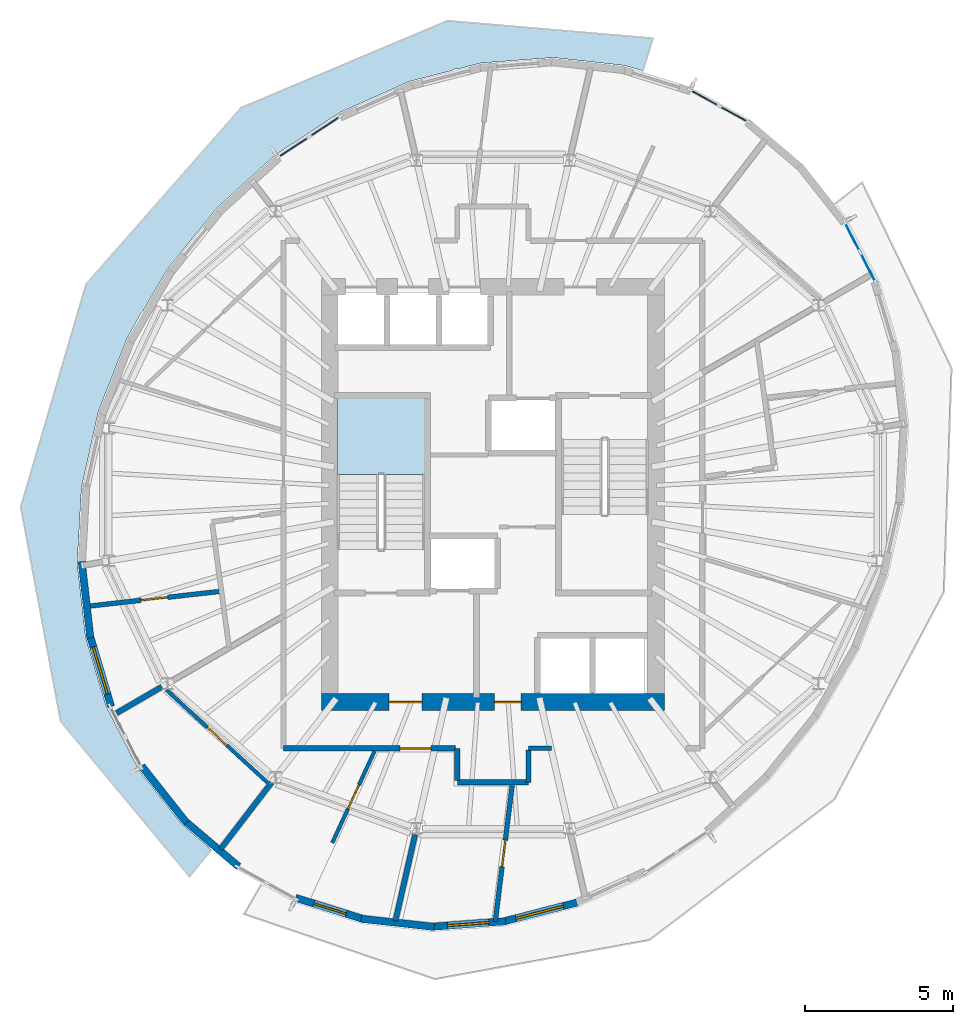
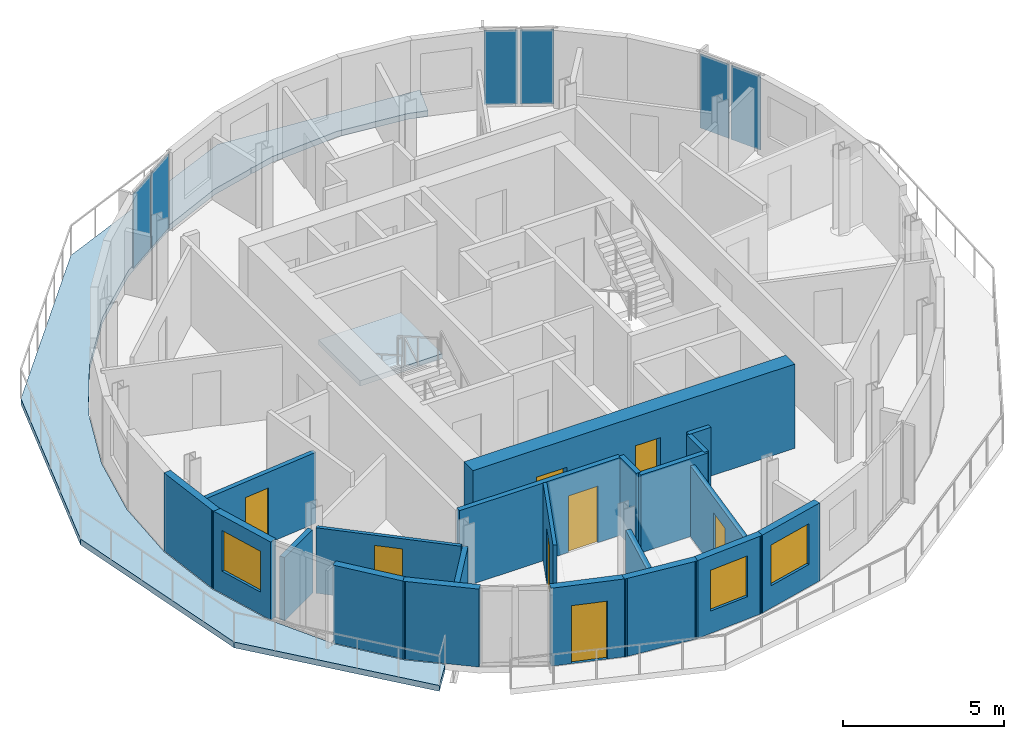
# One storey, part 4 of 11: 21 walls, 8 doors, 6 plates, 3 windows, 2 slabs, 11 openings, 4 elements without a shape of their own.
"""IFC4 building model written with IfcOpenShell, lengths in metres."""

from ifc_helpers import new_model, si_unit, direction, frame, frame_2d, origin, origin_2d, place, context, subcontext, project, spatial, polyline, rectangle, outline, extrude, material, layer, layer_set, type_object, element, fill, aggregate, save


model = new_model("IFC4")

# Units and contexts
model_context = context("Model", 3, precision=1e-05, world=origin(), true_north=direction((0.0, 1.0)))
body_context = subcontext(model_context, "Body", "Model", "MODEL_VIEW")
ifc_project = project(units=[si_unit("LENGTHUNIT", "METRE"), si_unit("AREAUNIT", "SQUARE_METRE"), si_unit("VOLUMEUNIT", "CUBIC_METRE"), si_unit("PLANEANGLEUNIT", "RADIAN"), si_unit("MASSUNIT", "GRAM", prefix="KILO")], contexts=[model_context])

# Site, building, storey
site_placement = place(None, origin())
site = spatial("IfcSite", under=ifc_project, at=site_placement, CompositionType="ELEMENT")
building_placement = place(site_placement, origin())
building = spatial("IfcBuilding", under=site, at=building_placement, Name="Veldorim Arch Residences", CompositionType="ELEMENT")
storey_placement = place(building_placement, frame((0.0, 0.0, 227.0400390625)))
storey = spatial("IfcBuildingStorey", under=building, at=storey_placement, Name="L68", CompositionType="ELEMENT", Elevation=227.0400390625)

# Slab
ifc_material_1 = material(Name="Concrete C40/50", Category="concrete")
ifc_layer_1 = layer(ifc_material_1, 0.219970703125, Name="Planted Crescent Cantilever Balcony Slab 220")
ifc_layer_set_1 = layer_set([ifc_layer_1], Name="Concrete C40/50")
slab_type_1 = type_object("IfcSlabType", Name="Planted Crescent Cantilever Balcony Slab 220", PredefinedType="FLOOR", material=ifc_layer_set_1)
slab_1_placement = place(storey_placement, frame((0.0, 0.0, -0.219970703125)))
element("IfcSlab", 1, at=slab_1_placement, inside=storey, type_object=slab_type_1, Name="L68 planted crescent balcony slab A", PredefinedType="FLOOR", context=body_context, shape_type="SweptSolid", body=[
    extrude(outline(polyline([(37.05712890625, 38.286865234375), (36.419921875, 38.464599609375), (34.0419921875, 38.729248046875), (31.602294921875, 38.54638671875), (30.82421875, 38.34619140625), (30.727783203125, 38.34716796875), (30.614501953125, 38.292236328125), (29.1748046875, 37.921630859375), (26.83349609375, 36.8740234375), (24.64892578125, 35.435302734375), (22.68798828125, 33.6494140625), (21.010009765625, 31.5703125), (20.208984375, 30.19482421875), (20.1298828125, 30.102294921875), (19.66552734375, 29.26123046875), (18.69580078125, 26.79248046875), (18.130126953125, 24.23876953125), (17.985595703125, 21.677734375), (18.26708984375, 19.18701171875), (18.9658203125, 16.84228515625), (20.060791015625, 14.715087890625), (21.5185546875, 12.86962890625), (22.417724609375, 12.107177734375), (22.493408203125, 12.00048828125), (21.770263671875, 11.106201171875), (17.420654296875, 16.344970703125), (16.07568359375, 23.577880859375), (18.278564453125, 31.09326171875), (23.505859375, 37.0419921875), (30.468994140625, 39.974365234375), (37.400146484375, 39.384521484375), (37.05712890625, 38.286865234375)])), origin(), (0.0, 0.0, 1.0), 0.219970703125),
])

# Stair, slab
ifc_material_2 = material(Name="Concrete C40/50", Category="concrete")
stair_type = type_object("IfcStairType", Name="Reinforced Concrete Dogleg Exit Staircase", PredefinedType="HALF_TURN_STAIR", material=ifc_material_2)
stair_placement = place(storey_placement, origin())
stair = element("IfcStair", 2, at=stair_placement, inside=storey, type_object=stair_type, Name="L68 Exit Staircase ST-1", PredefinedType="HALF_TURN_STAIR")
ifc_material_3 = material(Name="Concrete C40/50", Category="concrete")
ifc_layer_2 = layer(ifc_material_3, 0.199951171875, Name="Reinforced Concrete Stair Landing 200")
ifc_layer_set_2 = layer_set([ifc_layer_2], Name="Concrete C40/50")
slab_type_2 = type_object("IfcSlabType", Name="Reinforced Concrete Stair Landing 200", PredefinedType="LANDING", material=ifc_layer_set_2)
slab_2_placement = place(storey_placement, frame((0.0, 0.0, 1.39990234375)))
slab_2 = element("IfcSlab", 3, at=slab_2_placement, type_object=slab_type_2, Name="ST-1 landing 1", PredefinedType="LANDING", context=body_context, shape_type="SweptSolid", body=[
    extrude(outline(polyline([(29.7099609375, 24.669921875), (29.7099609375, 27.25), (26.75, 27.25), (26.75, 24.669921875), (29.7099609375, 24.669921875)])), origin(), (0.0, 0.0, 1.0), 0.199951171875),
])
aggregate(stair, [slab_2])

# Curtain wall, plates
ifc_material_4 = material(Name="Aluminium", Category="aluminium")
curtain_wall_type = type_object("IfcCurtainWallType", Name="Zone 4 High-Altitude Unitised Curtain Wall", PredefinedType="NOTDEFINED", material=ifc_material_4)
curtain_wall_1_placement = place(storey_placement, origin())
curtain_wall_1 = element("IfcCurtainWall", 4, at=curtain_wall_1_placement, inside=storey, type_object=curtain_wall_type, Name="L68 unitised curtain wall bay 01", PredefinedType="NOTDEFINED")
ifc_material_5 = material(Name="Laminated Low-E Glass", Category="glass")
ifc_layer_3 = layer(ifc_material_5, 0.030029296875, Name="Zone 4 High-Altitude Unitised Curtain Wall Glazing Panel 30")
ifc_layer_set_3 = layer_set([ifc_layer_3], Name="Laminated Low-E Glass")
plate_type = type_object("IfcPlateType", Name="Zone 4 High-Altitude Unitised Curtain Wall Glazing Panel 30", PredefinedType="CURTAIN_PANEL", material=ifc_layer_set_3)
plate_1_placement = place(storey_placement, frame((39.135986328125, 37.368896484375, 0.074951171875), z_axis=(0.0, 0.0, 1.0), x_axis=(0.876196835555, -0.48195342655, 0.0)))
plate_1 = element("IfcPlate", 5, at=plate_1_placement, type_object=plate_type, Name="CW-Z4 panel 1.1", PredefinedType="CURTAIN_PANEL", context=body_context, shape_type="SweptSolid", body=[
    extrude(rectangle(XDim=1.0498046875, YDim=0.030029296875, at=origin_2d()), origin(), (0.0, 0.0, 1.0), 2.81005859375),
])
plate_2_placement = place(storey_placement, frame((40.12158203125, 36.82666015625, 0.074951171875), z_axis=(0.0, 0.0, 1.0), x_axis=(0.876196835555, -0.48195342655, 0.0)))
plate_2 = element("IfcPlate", 6, at=plate_2_placement, type_object=plate_type, Name="CW-Z4 panel 2.1", PredefinedType="CURTAIN_PANEL", context=body_context, shape_type="SweptSolid", body=[
    extrude(rectangle(XDim=1.0498046875, YDim=0.030029296875, at=origin_2d()), origin(), (0.0, 0.0, 1.0), 2.81005859375),
])
aggregate(curtain_wall_1, [plate_1, plate_2])

curtain_wall_2_placement = place(storey_placement, origin())
curtain_wall_2 = element("IfcCurtainWall", 7, at=curtain_wall_2_placement, inside=storey, type_object=curtain_wall_type, Name="L68 unitised curtain wall bay 07", PredefinedType="NOTDEFINED")
plate_3_placement = place(storey_placement, frame((25.27490234375, 35.709716796875, 0.074951171875), z_axis=(0.0, 0.0, 1.0), x_axis=(0.835124104582, 0.550061569233, 0.0)))
plate_3 = element("IfcPlate", 8, at=plate_3_placement, type_object=plate_type, Name="CW-Z4 panel 1.1", PredefinedType="CURTAIN_PANEL", context=body_context, shape_type="SweptSolid", body=[
    extrude(rectangle(XDim=1.193359375, YDim=0.030029296875, at=origin_2d()), origin(), (0.0, 0.0, 1.0), 2.81005859375),
])
plate_4_placement = place(storey_placement, frame((26.333984375, 36.4072265625, 0.074951171875), z_axis=(0.0, 0.0, 1.0), x_axis=(0.835124104582, 0.550061569233, 0.0)))
plate_4 = element("IfcPlate", 9, at=plate_4_placement, type_object=plate_type, Name="CW-Z4 panel 2.1", PredefinedType="CURTAIN_PANEL", context=body_context, shape_type="SweptSolid", body=[
    extrude(rectangle(XDim=1.193359375, YDim=0.030029296875, at=origin_2d()), origin(), (0.0, 0.0, 1.0), 2.81005859375),
])
aggregate(curtain_wall_2, [plate_3, plate_4])

curtain_wall_3_placement = place(storey_placement, origin())
curtain_wall_3 = element("IfcCurtainWall", 10, at=curtain_wall_3_placement, inside=storey, type_object=curtain_wall_type, Name="L68 unitised curtain wall bay 34", PredefinedType="NOTDEFINED")
plate_5_placement = place(storey_placement, frame((44.119873046875, 32.6826171875, 0.074951171875), z_axis=(0.0, 0.0, 1.0), x_axis=(0.457652682523, -0.889131048935, 0.0)))
plate_5 = element("IfcPlate", 11, at=plate_5_placement, type_object=plate_type, Name="CW-Z4 panel 1.1", PredefinedType="CURTAIN_PANEL", context=body_context, shape_type="SweptSolid", body=[
    extrude(rectangle(XDim=1.081298828125, YDim=0.030029296875, at=origin_2d()), origin(), (0.0, 0.0, 1.0), 2.81005859375),
])
plate_6_placement = place(storey_placement, frame((44.649169921875, 31.654541015625, 0.074951171875), z_axis=(0.0, 0.0, 1.0), x_axis=(0.457652682523, -0.889131048935, 0.0)))
plate_6 = element("IfcPlate", 12, at=plate_6_placement, type_object=plate_type, Name="CW-Z4 panel 2.1", PredefinedType="CURTAIN_PANEL", context=body_context, shape_type="SweptSolid", body=[
    extrude(rectangle(XDim=1.081298828125, YDim=0.030029296875, at=origin_2d()), origin(), (0.0, 0.0, 1.0), 2.81005859375),
])
aggregate(curtain_wall_3, [plate_5, plate_6])

# Wall, opening, door
ifc_material_6 = material(Name="Acoustic Gypsum Board", Category="gypsum")
ifc_layer_4 = layer(ifc_material_6, 0.125, Name="Acoustic Stud Room Partition Wall 125")
ifc_layer_set_4 = layer_set([ifc_layer_4], Name="Acoustic Gypsum Board")
wall_type_1 = type_object("IfcWallType", Name="Acoustic Stud Room Partition Wall 125", PredefinedType="PARTITIONING", material=ifc_layer_set_4)
wall_1_placement = place(storey_placement, frame((26.58251953125, 12.251953125, 0.0), z_axis=(0.0, 0.0, 1.0), x_axis=(0.418699522362, 0.908124831713, 0.0)))
wall_1 = element("IfcWall", 13, at=wall_1_placement, inside=storey, type_object=wall_type_1, Name="L68 interior wall WL-RES-L68-017", PredefinedType="PARTITIONING", context=body_context, shape_type="SweptSolid", body=[
    extrude(rectangle(XDim=3.410400390625, YDim=0.125, at=frame_2d((1.705078125, 0.0))), origin(), (0.0, 0.0, 1.0), 2.955078125),
])
opening_1_placement = place(wall_1_placement, frame((1.25537109375, 0.0, 0.0)))
opening_1 = element("IfcOpeningElement", 14, at=opening_1_placement, cuts=wall_1, Name="Opening DR-INT", PredefinedType="OPENING", context=body_context, shape_type="SweptSolid", body=[
    extrude(rectangle(XDim=0.89990234375, YDim=2.10009765625, at=frame_2d((0.449951171875, 1.050048828125))), frame((0.0, 0.072509765625, 0.0), z_axis=(0.0, -1.0, 0.0), x_axis=(1.0, 0.0, 0.0)), (0.0, 0.0, 1.0), 0.14501953125),
])
ifc_material_7 = material(Name="Engineered Timber", Category="wood")
door_type_1 = type_object("IfcDoorType", Name="Apartment Internal Room Timber Door 900x2100", OperationType="SINGLE_SWING_LEFT", PredefinedType="DOOR", material=ifc_material_7)
door_1_placement = place(opening_1_placement, origin())
door_1 = element("IfcDoor", 15, at=door_1_placement, inside=storey, type_object=door_type_1, Name="L68 interior door DR-RES-L68-003", OperationType="SINGLE_SWING_LEFT", OverallHeight=2.10009765625, OverallWidth=0.89990234375, PredefinedType="DOOR", context=body_context, shape_type="SweptSolid", body=[
    extrude(rectangle(XDim=0.89990234375, YDim=2.10009765625, at=frame_2d((0.449951171875, 1.050048828125))), frame((0.0, 0.02490234375, 0.0), z_axis=(0.0, -1.0, 0.0), x_axis=(1.0, 0.0, 0.0)), (0.0, 0.0, 1.0), 0.050048828125),
])
fill(opening_1, door_1)

wall_2_placement = place(storey_placement, frame((24.396484375, 14.283447265625, 0.0), z_axis=(0.0, 0.0, 1.0), x_axis=(-0.736807240809, 0.676102869311, 0.0)))
wall_2 = element("IfcWall", 16, at=wall_2_placement, inside=storey, type_object=wall_type_1, Name="L68 interior wall WL-RES-L68-018", PredefinedType="PARTITIONING", context=body_context, shape_type="SweptSolid", body=[
    extrude(rectangle(XDim=4.616943359375, YDim=0.125, at=frame_2d((2.30859375, 0.0))), origin(), (0.0, 0.0, 1.0), 2.488037109375),
])
opening_2_placement = place(wall_2_placement, frame((1.8583984375, 0.0, 0.0)))
opening_2 = element("IfcOpeningElement", 17, at=opening_2_placement, cuts=wall_2, Name="Opening DR-INT", PredefinedType="OPENING", context=body_context, shape_type="SweptSolid", body=[
    extrude(rectangle(XDim=0.89990234375, YDim=2.10009765625, at=frame_2d((0.449951171875, 1.050048828125))), frame((0.0, 0.072509765625, 0.0), z_axis=(0.0, -1.0, 0.0), x_axis=(1.0, 0.0, 0.0)), (0.0, 0.0, 1.0), 0.14501953125),
])
door_2_placement = place(opening_2_placement, origin())
door_2 = element("IfcDoor", 18, at=door_2_placement, inside=storey, type_object=door_type_1, Name="L68 interior door DR-RES-L68-004", OperationType="SINGLE_SWING_RIGHT", OverallHeight=2.10009765625, OverallWidth=0.89990234375, PredefinedType="DOOR", context=body_context, shape_type="SweptSolid", body=[
    extrude(rectangle(XDim=0.89990234375, YDim=2.10009765625, at=frame_2d((0.449951171875, 1.050048828125))), frame((0.0, 0.02490234375, 0.0), z_axis=(0.0, -1.0, 0.0), x_axis=(1.0, 0.0, 0.0)), (0.0, 0.0, 1.0), 0.050048828125),
])
fill(opening_2, door_2)

# Walls
ifc_material_8 = material(Name="Lightweight Masonry Block & Gypsum", Category="masonry")
ifc_layer_5 = layer(ifc_material_8, 0.179931640625, Name="Compartment & Corridor Fire-Rated Party Wall 180")
ifc_layer_set_5 = layer_set([ifc_layer_5], Name="Lightweight Masonry Block & Gypsum")
wall_type_2 = type_object("IfcWallType", Name="Compartment & Corridor Fire-Rated Party Wall 180", PredefinedType="PARTITIONING", material=ifc_layer_set_5)
wall_3_placement = place(storey_placement, frame((20.834716796875, 17.51171875, 0.0), z_axis=(0.0, 0.0, 1.0), x_axis=(-0.864620360953, -0.502425747176, 0.0)))
element("IfcWall", 19, at=wall_3_placement, inside=storey, type_object=wall_type_2, Name="L68 interior wall WL-PIER-L68-10", PredefinedType="PARTITIONING", context=body_context, shape_type="SweptSolid", body=[
    extrude(rectangle(XDim=1.765380859375, YDim=0.179931640625, at=frame_2d((0.8828125, 0.0))), origin(), (0.0, 0.0, 1.0), 2.4033203125),
])
wall_4_placement = place(storey_placement, frame((24.53271484375, 14.280517578125, 0.0), z_axis=(0.0, 0.0, 1.0), x_axis=(-0.609255239711, -0.792974181727, 0.0)))
element("IfcWall", 20, at=wall_4_placement, inside=storey, type_object=wall_type_2, Name="L68 interior wall WL-PIER-L68-11", PredefinedType="PARTITIONING", context=body_context, shape_type="SweptSolid", body=[
    extrude(rectangle(XDim=2.823974609375, YDim=0.179931640625, at=frame_2d((1.412109375, 0.0))), origin(), (0.0, 0.0, 1.0), 2.4033203125),
])
wall_5_placement = place(storey_placement, frame((29.3759765625, 12.526611328125, 0.0), z_axis=(0.0, 0.0, 1.0), x_axis=(-0.222977992513, -0.974823478818, 0.0)))
element("IfcWall", 21, at=wall_5_placement, inside=storey, type_object=wall_type_2, Name="L68 interior wall WL-PIER-L68-12", PredefinedType="PARTITIONING", context=body_context, shape_type="SweptSolid", body=[
    extrude(rectangle(XDim=2.98583984375, YDim=0.179931640625, at=frame_2d((1.492919921875, 0.0))), origin(), (0.0, 0.0, 1.0), 2.4033203125),
])
wall_6_placement = place(storey_placement, frame((33.199951171875, 14.2900390625, 0.0), z_axis=(0.0, 0.0, 1.0), x_axis=(-1.0, 0.0, 0.0)))
element("IfcWall", 22, at=wall_6_placement, inside=storey, type_object=wall_type_2, Name="L68 interior wall WL-RES-L68-001", PredefinedType="PARTITIONING", context=body_context, shape_type="SweptSolid", body=[
    extrude(rectangle(XDim=2.39990234375, YDim=0.179931640625, at=frame_2d((1.199951171875, 0.0))), origin(), (0.0, 0.0, 1.0), 2.955078125),
])
wall_7_placement = place(storey_placement, frame((30.800048828125, 14.35009765625, 0.0), z_axis=(0.0, 0.0, 1.0), x_axis=(0.0, 1.0, 0.0)))
element("IfcWall", 23, at=wall_7_placement, inside=storey, type_object=wall_type_2, Name="L68 interior wall WL-RES-L68-002", PredefinedType="PARTITIONING", context=body_context, shape_type="SweptSolid", body=[
    extrude(rectangle(XDim=1.08984375, YDim=0.179931640625, at=frame_2d((0.544921875, 0.0))), origin(), (0.0, 0.0, 1.0), 2.955078125),
])

# Wall, opening, door
wall_8_placement = place(storey_placement, frame((30.739990234375, 15.43994140625, 0.0), z_axis=(0.0, 0.0, 1.0), x_axis=(-1.0, 0.0, 0.0)))
wall_8 = element("IfcWall", 24, at=wall_8_placement, inside=storey, type_object=wall_type_2, Name="L68 interior wall WL-RES-L68-003", PredefinedType="PARTITIONING", context=body_context, shape_type="SweptSolid", body=[
    extrude(rectangle(XDim=5.800048828125, YDim=0.179931640625, at=frame_2d((2.89990234375, 0.0))), origin(), (0.0, 0.0, 1.0), 2.955078125),
])
opening_3_placement = place(wall_8_placement, frame((0.829833984375, 0.0, 0.0)))
opening_3 = element("IfcOpeningElement", 25, at=opening_3_placement, cuts=wall_8, Name="Opening DR-FLT", PredefinedType="OPENING", context=body_context, shape_type="SweptSolid", body=[
    extrude(rectangle(XDim=1.050048828125, YDim=2.14990234375, at=frame_2d((0.52490234375, 1.074951171875))), frame((0.0, 0.099853515625, 0.0), z_axis=(0.0, -1.0, 0.0), x_axis=(1.0, 0.0, 0.0)), (0.0, 0.0, 1.0), 0.199951171875),
])
ifc_material_9 = material(Name="Fire-Rated Timber", Category="wood")
door_type_2 = type_object("IfcDoorType", Name="Apartment Entrance Solid-Core Fire Door 1050x2150", OperationType="SINGLE_SWING_LEFT", PredefinedType="DOOR", material=ifc_material_9)
door_3_placement = place(opening_3_placement, origin())
door_3 = element("IfcDoor", 26, at=door_3_placement, inside=storey, type_object=door_type_2, Name="L68 interior door DR-RES-L68-001", OperationType="SINGLE_SWING_LEFT", OverallHeight=2.14990234375, OverallWidth=1.050048828125, PredefinedType="DOOR", context=body_context, shape_type="SweptSolid", body=[
    extrude(rectangle(XDim=1.050048828125, YDim=2.14990234375, at=frame_2d((0.52490234375, 1.074951171875))), frame((0.0, 0.02490234375, 0.0), z_axis=(0.0, -1.0, 0.0), x_axis=(1.0, 0.0, 0.0)), (0.0, 0.0, 1.0), 0.050048828125),
])
fill(opening_3, door_3)

# Wall
ifc_material_10 = material(Name="Precast concrete C40/50", Category="concrete")
ifc_layer_6 = layer(ifc_material_10, 0.25, Name="Tower Terracotta Spandrel & Pier Wall 250")
ifc_layer_set_6 = layer_set([ifc_layer_6], Name="Precast concrete C40/50")
wall_type_3 = type_object("IfcWallType", Name="Tower Terracotta Spandrel & Pier Wall 250", PredefinedType="SOLIDWALL", material=ifc_layer_set_6)
wall_9_placement = place(storey_placement, frame((18.4208984375, 19.161376953125, 0.0), z_axis=(0.0, 0.0, 1.0), x_axis=(-0.112260931198, 0.993678762642, 0.0)))
element("IfcWall", 27, at=wall_9_placement, inside=storey, type_object=wall_type_3, Name="L68 terracotta facade wall 14", PredefinedType="SOLIDWALL", context=body_context, shape_type="SweptSolid", body=[
    extrude(rectangle(XDim=2.59228515625, YDim=0.25, at=frame_2d((1.296142578125, 0.0))), origin(), (0.0, 0.0, 1.0), 2.9599609375),
])

# Wall, opening, window
wall_10_placement = place(storey_placement, frame((19.12158203125, 16.844482421875, 0.0), z_axis=(0.0, 0.0, 1.0), x_axis=(-0.285604720301, 0.958347506775, 0.0)))
wall_10 = element("IfcWall", 28, at=wall_10_placement, inside=storey, type_object=wall_type_3, Name="L68 terracotta facade wall 15", PredefinedType="SOLIDWALL", context=body_context, shape_type="SweptSolid", body=[
    extrude(rectangle(XDim=2.531982421875, YDim=0.25, at=frame_2d((1.26611328125, 0.0))), origin(), (0.0, 0.0, 1.0), 2.9599609375),
])
opening_4_placement = place(wall_10_placement, frame((0.44091796875, 0.0, 0.85009765625)))
opening_4 = element("IfcOpeningElement", 29, at=opening_4_placement, cuts=wall_10, Name="Opening WN-03", PredefinedType="OPENING", context=body_context, shape_type="SweptSolid", body=[
    extrude(rectangle(XDim=1.64990234375, YDim=1.550048828125, at=frame_2d((0.824951171875, 0.77490234375))), frame((0.0, 0.135009765625, 0.0), z_axis=(0.0, -1.0, 0.0), x_axis=(1.0, 0.0, 0.0)), (0.0, 0.0, 1.0), 0.27001953125),
])
ifc_material_11 = material(Name="Laminated Low-E Glass", Category="glass")
window_type_1 = type_object("IfcWindowType", Name="Residential Wide Window 1650x1550", PartitioningType="SINGLE_PANEL", PredefinedType="WINDOW", material=ifc_material_11)
window_1_placement = place(opening_4_placement, origin())
window_1 = element("IfcWindow", 30, at=window_1_placement, inside=storey, type_object=window_type_1, Name="L68 solar-control facade window 15", OverallHeight=1.550048828125, OverallWidth=1.64990234375, PartitioningType="SINGLE_PANEL", PredefinedType="WINDOW", context=body_context, shape_type="SweptSolid", body=[
    extrude(rectangle(XDim=1.64990234375, YDim=1.550048828125, at=frame_2d((0.824951171875, 0.77490234375))), frame((0.0, 0.030029296875, 0.0), z_axis=(0.0, -1.0, 0.0), x_axis=(1.0, 0.0, 0.0)), (0.0, 0.0, 1.0), 0.06005859375),
])
fill(opening_4, window_1)

# Walls
wall_11_placement = place(storey_placement, frame((21.66259765625, 12.929443359375, 0.0), z_axis=(0.0, 0.0, 1.0), x_axis=(-0.619881401672, 0.784695512833, 0.0)))
element("IfcWall", 31, at=wall_11_placement, inside=storey, type_object=wall_type_3, Name="L68 terracotta facade wall 17", PredefinedType="SOLIDWALL", context=body_context, shape_type="SweptSolid", body=[
    extrude(rectangle(XDim=2.436767578125, YDim=0.25, at=frame_2d((1.21826171875, 0.0))), origin(), (0.0, 0.0, 1.0), 2.9599609375),
])
wall_12_placement = place(storey_placement, frame((23.424560546875, 11.44970703125, 0.0), z_axis=(0.0, 0.0, 1.0), x_axis=(-0.762614923672, 0.646852748462, 0.0)))
element("IfcWall", 32, at=wall_12_placement, inside=storey, type_object=wall_type_3, Name="L68 terracotta facade wall 18", PredefinedType="SOLIDWALL", context=body_context, shape_type="SweptSolid", body=[
    extrude(rectangle(XDim=2.414794921875, YDim=0.25, at=frame_2d((1.20751953125, 0.0))), origin(), (0.0, 0.0, 1.0), 2.9599609375),
])

# Wall, opening, door
wall_13_placement = place(storey_placement, frame((27.665771484375, 9.665771484375, 0.0), z_axis=(0.0, 0.0, 1.0), x_axis=(-0.95407801166, 0.299558254212, 0.0)))
wall_13 = element("IfcWall", 33, at=wall_13_placement, inside=storey, type_object=wall_type_3, Name="L68 terracotta facade wall 20", PredefinedType="SOLIDWALL", context=body_context, shape_type="SweptSolid", body=[
    extrude(rectangle(XDim=2.436767578125, YDim=0.25, at=frame_2d((1.21826171875, 0.0))), origin(), (0.0, 0.0, 1.0), 2.9599609375),
])
opening_5_placement = place(wall_13_placement, frame((0.64306640625, 0.0, 0.0)))
opening_5 = element("IfcOpeningElement", 34, at=opening_5_placement, cuts=wall_13, Name="Opening BL-DR", PredefinedType="OPENING", context=body_context, shape_type="SweptSolid", body=[
    extrude(rectangle(XDim=1.14990234375, YDim=2.199951171875, at=frame_2d((0.574951171875, 1.10009765625))), frame((0.0, 0.135009765625, 0.0), z_axis=(0.0, -1.0, 0.0), x_axis=(1.0, 0.0, 0.0)), (0.0, 0.0, 1.0), 0.27001953125),
])
ifc_material_12 = material(Name="Aluminium & Low-E Glass", Category="aluminium")
door_type_3 = type_object("IfcDoorType", Name="Glazed Planted Balcony Door 1150x2200", OperationType="SINGLE_SWING_LEFT", PredefinedType="DOOR", material=ifc_material_12)
door_4_placement = place(opening_5_placement, origin())
door_4 = element("IfcDoor", 35, at=door_4_placement, inside=storey, type_object=door_type_3, Name="L68 glazed outdoor terrace door BALC-2", OperationType="SINGLE_SWING_RIGHT", OverallHeight=2.199951171875, OverallWidth=1.14990234375, PredefinedType="DOOR", context=body_context, shape_type="SweptSolid", body=[
    extrude(rectangle(XDim=1.14990234375, YDim=2.199951171875, at=frame_2d((0.574951171875, 1.10009765625))), frame((0.0, 0.02490234375, 0.0), z_axis=(0.0, -1.0, 0.0), x_axis=(1.0, 0.0, 0.0)), (0.0, 0.0, 1.0), 0.050048828125),
])
fill(opening_5, door_4)

# Wall
wall_14_placement = place(storey_placement, frame((30.01708984375, 9.4150390625, 0.0), z_axis=(0.0, 0.0, 1.0), x_axis=(-0.993859679734, 0.110647806121, 0.0)))
element("IfcWall", 36, at=wall_14_placement, inside=storey, type_object=wall_type_3, Name="L68 terracotta facade wall 21", PredefinedType="SOLIDWALL", context=body_context, shape_type="SweptSolid", body=[
    extrude(rectangle(XDim=2.477783203125, YDim=0.25, at=frame_2d((1.23876953125, 0.0))), origin(), (0.0, 0.0, 1.0), 2.9599609375),
])

# Wall, opening, window
wall_15_placement = place(storey_placement, frame((32.42919921875, 9.606201171875, 0.0), z_axis=(0.0, 0.0, 1.0), x_axis=(-0.997203982256, -0.074727623888, 0.0)))
wall_15 = element("IfcWall", 37, at=wall_15_placement, inside=storey, type_object=wall_type_3, Name="L68 terracotta facade wall 22", PredefinedType="SOLIDWALL", context=body_context, shape_type="SweptSolid", body=[
    extrude(rectangle(XDim=2.531982421875, YDim=0.25, at=frame_2d((1.26611328125, 0.0))), origin(), (0.0, 0.0, 1.0), 2.9599609375),
])
opening_6_placement = place(wall_15_placement, frame((0.56591796875, 0.0, 0.85009765625)))
opening_6 = element("IfcOpeningElement", 38, at=opening_6_placement, cuts=wall_15, Name="Opening WN-02", PredefinedType="OPENING", context=body_context, shape_type="SweptSolid", body=[
    extrude(rectangle(XDim=1.39990234375, YDim=1.550048828125, at=frame_2d((0.699951171875, 0.77490234375))), frame((0.0, 0.135009765625, 0.0), z_axis=(0.0, -1.0, 0.0), x_axis=(1.0, 0.0, 0.0)), (0.0, 0.0, 1.0), 0.27001953125),
])
ifc_material_13 = material(Name="Laminated Low-E Glass", Category="glass")
window_type_2 = type_object("IfcWindowType", Name="Residential Casement Window 1400x1550", PartitioningType="SINGLE_PANEL", PredefinedType="WINDOW", material=ifc_material_13)
window_2_placement = place(opening_6_placement, origin())
window_2 = element("IfcWindow", 39, at=window_2_placement, inside=storey, type_object=window_type_2, Name="L68 solar-control facade window 22", OverallHeight=1.550048828125, OverallWidth=1.39990234375, PartitioningType="SINGLE_PANEL", PredefinedType="WINDOW", context=body_context, shape_type="SweptSolid", body=[
    extrude(rectangle(XDim=1.39990234375, YDim=1.550048828125, at=frame_2d((0.699951171875, 0.77490234375))), frame((0.0, 0.030029296875, 0.0), z_axis=(0.0, -1.0, 0.0), x_axis=(1.0, 0.0, 0.0)), (0.0, 0.0, 1.0), 0.06005859375),
])
fill(opening_6, window_2)

wall_16_placement = place(storey_placement, frame((34.829345703125, 10.234375, 0.0), z_axis=(0.0, 0.0, 1.0), x_axis=(-0.968423445169, -0.249311112562, 0.0)))
wall_16 = element("IfcWall", 40, at=wall_16_placement, inside=storey, type_object=wall_type_3, Name="L68 terracotta facade wall 23", PredefinedType="SOLIDWALL", context=body_context, shape_type="SweptSolid", body=[
    extrude(rectangle(XDim=2.592041015625, YDim=0.25, at=frame_2d((1.2958984375, 0.0))), origin(), (0.0, 0.0, 1.0), 2.9599609375),
])
opening_7_placement = place(wall_16_placement, frame((0.470947265625, 0.0, 0.85009765625)))
opening_7 = element("IfcOpeningElement", 41, at=opening_7_placement, cuts=wall_16, Name="Opening WN-03", PredefinedType="OPENING", context=body_context, shape_type="SweptSolid", body=[
    extrude(rectangle(XDim=1.64990234375, YDim=1.550048828125, at=frame_2d((0.824951171875, 0.77490234375))), frame((0.0, 0.135009765625, 0.0), z_axis=(0.0, -1.0, 0.0), x_axis=(1.0, 0.0, 0.0)), (0.0, 0.0, 1.0), 0.27001953125),
])
window_3_placement = place(opening_7_placement, origin())
window_3 = element("IfcWindow", 42, at=window_3_placement, inside=storey, type_object=window_type_1, Name="L68 solar-control facade window 23", OverallHeight=1.550048828125, OverallWidth=1.64990234375, PartitioningType="SINGLE_PANEL", PredefinedType="WINDOW", context=body_context, shape_type="SweptSolid", body=[
    extrude(rectangle(XDim=1.64990234375, YDim=1.550048828125, at=frame_2d((0.824951171875, 0.77490234375))), frame((0.0, 0.030029296875, 0.0), z_axis=(0.0, -1.0, 0.0), x_axis=(1.0, 0.0, 0.0)), (0.0, 0.0, 1.0), 0.06005859375),
])
fill(opening_7, window_3)

# Wall, openings, doors
ifc_material_14 = material(Name="Concrete C50/60", Category="concrete")
ifc_layer_7 = layer(ifc_material_14, 0.5, Name="Upper Central Core Shear Wall 560")
ifc_layer_set_7 = layer_set([ifc_layer_7], Name="Concrete C50/60")
wall_type_4 = type_object("IfcWallType", Name="Upper Central Core Shear Wall 560", PredefinedType="SHEAR", material=ifc_layer_set_7)
wall_17_placement = place(storey_placement, frame((26.219970703125, 17.0, 0.0), z_axis=(0.0, 0.0, 1.0), x_axis=(1.0, 0.0, 0.0)))
wall_17 = element("IfcWall", 43, at=wall_17_placement, inside=storey, type_object=wall_type_4, Name="L68 central core south shear wall", PredefinedType="SHEAR", context=body_context, shape_type="SweptSolid", body=[
    extrude(rectangle(XDim=11.56005859375, YDim=0.56005859375, at=frame_2d((5.780029296875, 0.0))), origin(), (0.0, 0.0, 1.0), 3.199951171875),
])
opening_8_placement = place(wall_17_placement, frame((2.280029296875, 0.0, 0.0)))
opening_8 = element("IfcOpeningElement", 44, at=opening_8_placement, cuts=wall_17, Name="Opening DR-FFL", PredefinedType="OPENING", context=body_context, shape_type="SweptSolid", body=[
    extrude(rectangle(XDim=1.10009765625, YDim=2.14990234375, at=frame_2d((0.550048828125, 1.074951171875))), frame((0.0, 0.2900390625, 0.0), z_axis=(0.0, -1.0, 0.0), x_axis=(1.0, 0.0, 0.0)), (0.0, 0.0, 1.0), 0.580078125),
])
opening_9_placement = place(wall_17_placement, frame((5.830078125, 0.0, 0.0)))
opening_9 = element("IfcOpeningElement", 45, at=opening_9_placement, cuts=wall_17, Name="Opening DR-SVC", PredefinedType="OPENING", context=body_context, shape_type="SweptSolid", body=[
    extrude(rectangle(XDim=0.89990234375, YDim=2.10009765625, at=frame_2d((0.449951171875, 1.050048828125))), frame((0.0, 0.2900390625, 0.0), z_axis=(0.0, -1.0, 0.0), x_axis=(1.0, 0.0, 0.0)), (0.0, 0.0, 1.0), 0.580078125),
])
ifc_material_15 = material(Name="Fire-Rated Steel & Vision Glass", Category="steel")
door_type_4 = type_object("IfcDoorType", Name="Firefighting Lobby Smoke-Stop Fire Door 1100x2150", OperationType="SINGLE_SWING_LEFT", PredefinedType="DOOR", material=ifc_material_15)
door_5_placement = place(opening_8_placement, origin())
door_5 = element("IfcDoor", 46, at=door_5_placement, inside=storey, type_object=door_type_4, Name="L68 interior door DR-L68-FFL1", OperationType="SINGLE_SWING_RIGHT", OverallHeight=2.14990234375, OverallWidth=1.10009765625, PredefinedType="DOOR", context=body_context, shape_type="SweptSolid", body=[
    extrude(rectangle(XDim=1.10009765625, YDim=2.14990234375, at=frame_2d((0.550048828125, 1.074951171875))), frame((0.0, 0.02490234375, 0.0), z_axis=(0.0, -1.0, 0.0), x_axis=(1.0, 0.0, 0.0)), (0.0, 0.0, 1.0), 0.050048828125),
])
fill(opening_8, door_5)
ifc_material_16 = material(Name="Fire-Rated Steel", Category="steel")
door_type_5 = type_object("IfcDoorType", Name="Riser, Shelter & Plant Room Rated Steel Door 900x2100", OperationType="SINGLE_SWING_LEFT", PredefinedType="DOOR", material=ifc_material_16)
door_6_placement = place(opening_9_placement, origin())
door_6 = element("IfcDoor", 47, at=door_6_placement, inside=storey, type_object=door_type_5, Name="L68 interior door DR-L68-COR-ANC", OperationType="SINGLE_SWING_LEFT", OverallHeight=2.10009765625, OverallWidth=0.89990234375, PredefinedType="DOOR", context=body_context, shape_type="SweptSolid", body=[
    extrude(rectangle(XDim=0.89990234375, YDim=2.10009765625, at=frame_2d((0.449951171875, 1.050048828125))), frame((0.0, 0.02490234375, 0.0), z_axis=(0.0, -1.0, 0.0), x_axis=(1.0, 0.0, 0.0)), (0.0, 0.0, 1.0), 0.050048828125),
])
fill(opening_9, door_6)

# Walls
ifc_material_17 = material(Name="Moisture-Resistant Gypsum & Stud", Category="gypsum")
ifc_layer_8 = layer(ifc_material_17, 0.159912109375, Name="Wet-Area Moisture-Resistant Plumbing Wall 160")
ifc_layer_set_8 = layer_set([ifc_layer_8], Name="Moisture-Resistant Gypsum & Stud")
wall_type_5 = type_object("IfcWallType", Name="Wet-Area Moisture-Resistant Plumbing Wall 160", PredefinedType="PLUMBINGWALL", material=ifc_layer_set_8)
wall_18_placement = place(storey_placement, frame((33.978271484375, 15.43994140625, 0.0), z_axis=(0.0, 0.0, 1.0), x_axis=(-1.0, 0.0, 0.0)))
element("IfcWall", 48, at=wall_18_placement, inside=storey, type_object=wall_type_5, Name="L68 interior wall WL-RES-L68-004", PredefinedType="PLUMBINGWALL", context=body_context, shape_type="SweptSolid", body=[
    extrude(rectangle(XDim=0.7783203125, YDim=0.159912109375, at=frame_2d((0.38916015625, 0.0))), origin(), (0.0, 0.0, 1.0), 2.955078125),
])
wall_19_placement = place(storey_placement, frame((33.199951171875, 15.3798828125, 0.0), z_axis=(0.0, 0.0, 1.0), x_axis=(0.0, -1.0, 0.0)))
element("IfcWall", 49, at=wall_19_placement, inside=storey, type_object=wall_type_5, Name="L68 interior wall WL-RES-L68-005", PredefinedType="PLUMBINGWALL", context=body_context, shape_type="SweptSolid", body=[
    extrude(rectangle(XDim=1.08984375, YDim=0.159912109375, at=frame_2d((0.544921875, 0.0))), origin(), (0.0, 0.0, 1.0), 2.955078125),
])

# Wall, opening, door
wall_20_placement = place(storey_placement, frame((32.648681640625, 14.19091796875, 0.0), z_axis=(0.0, 0.0, 1.0), x_axis=(-0.122996482144, -0.992407106676, 0.0)))
wall_20 = element("IfcWall", 50, at=wall_20_placement, inside=storey, type_object=wall_type_5, Name="L68 interior wall WL-RES-L68-016", PredefinedType="PLUMBINGWALL", context=body_context, shape_type="SweptSolid", body=[
    extrude(rectangle(XDim=4.630859375, YDim=0.159912109375, at=frame_2d((2.3154296875, 0.0))), origin(), (0.0, 0.0, 1.0), 2.69189453125),
])
opening_10_placement = place(wall_20_placement, frame((1.865478515625, 0.0, 0.0)))
opening_10 = element("IfcOpeningElement", 51, at=opening_10_placement, cuts=wall_20, Name="Opening DR-WC", PredefinedType="OPENING", context=body_context, shape_type="SweptSolid", body=[
    extrude(rectangle(XDim=0.89990234375, YDim=2.10009765625, at=frame_2d((0.449951171875, 1.050048828125))), frame((0.0, 0.08984375, 0.0), z_axis=(0.0, -1.0, 0.0), x_axis=(1.0, 0.0, 0.0)), (0.0, 0.0, 1.0), 0.179931640625),
])
ifc_material_18 = material(Name="Laminate Timber", Category="wood")
door_type_6 = type_object("IfcDoorType", Name="Bathroom & Accessible WC Moisture-Sealed Door 900x2100", OperationType="SINGLE_SWING_LEFT", PredefinedType="DOOR", material=ifc_material_18)
door_7_placement = place(opening_10_placement, origin())
door_7 = element("IfcDoor", 52, at=door_7_placement, inside=storey, type_object=door_type_6, Name="L68 interior door DR-RES-L68-002", OperationType="SINGLE_SWING_RIGHT", OverallHeight=2.10009765625, OverallWidth=0.89990234375, PredefinedType="DOOR", context=body_context, shape_type="SweptSolid", body=[
    extrude(rectangle(XDim=0.89990234375, YDim=2.10009765625, at=frame_2d((0.449951171875, 1.050048828125))), frame((0.0, 0.02490234375, 0.0), z_axis=(0.0, -1.0, 0.0), x_axis=(1.0, 0.0, 0.0)), (0.0, 0.0, 1.0), 0.050048828125),
])
fill(opening_10, door_7)

wall_21_placement = place(storey_placement, frame((22.843994140625, 20.73583984375, 0.0), z_axis=(0.0, 0.0, 1.0), x_axis=(-0.993729232793, -0.111813290319, 0.0)))
wall_21 = element("IfcWall", 53, at=wall_21_placement, inside=storey, type_object=wall_type_5, Name="L68 interior wall WL-RES-L68-029", PredefinedType="PLUMBINGWALL", context=body_context, shape_type="SweptSolid", body=[
    extrude(rectangle(XDim=4.556884765625, YDim=0.159912109375, at=frame_2d((2.2783203125, 0.0))), origin(), (0.0, 0.0, 1.0), 2.69189453125),
])
opening_11_placement = place(wall_21_placement, frame((1.828369140625, 0.0, 0.0)))
opening_11 = element("IfcOpeningElement", 54, at=opening_11_placement, cuts=wall_21, Name="Opening DR-WC", PredefinedType="OPENING", context=body_context, shape_type="SweptSolid", body=[
    extrude(rectangle(XDim=0.89990234375, YDim=2.10009765625, at=frame_2d((0.449951171875, 1.050048828125))), frame((0.0, 0.08984375, 0.0), z_axis=(0.0, -1.0, 0.0), x_axis=(1.0, 0.0, 0.0)), (0.0, 0.0, 1.0), 0.179931640625),
])
door_8_placement = place(opening_11_placement, origin())
door_8 = element("IfcDoor", 55, at=door_8_placement, inside=storey, type_object=door_type_6, Name="L68 interior door DR-RES-L68-015", OperationType="SINGLE_SWING_LEFT", OverallHeight=2.10009765625, OverallWidth=0.89990234375, PredefinedType="DOOR", context=body_context, shape_type="SweptSolid", body=[
    extrude(rectangle(XDim=0.89990234375, YDim=2.10009765625, at=frame_2d((0.449951171875, 1.050048828125))), frame((0.0, 0.02490234375, 0.0), z_axis=(0.0, -1.0, 0.0), x_axis=(1.0, 0.0, 0.0)), (0.0, 0.0, 1.0), 0.050048828125),
])
fill(opening_11, door_8)

save(model, "model.ifc")
